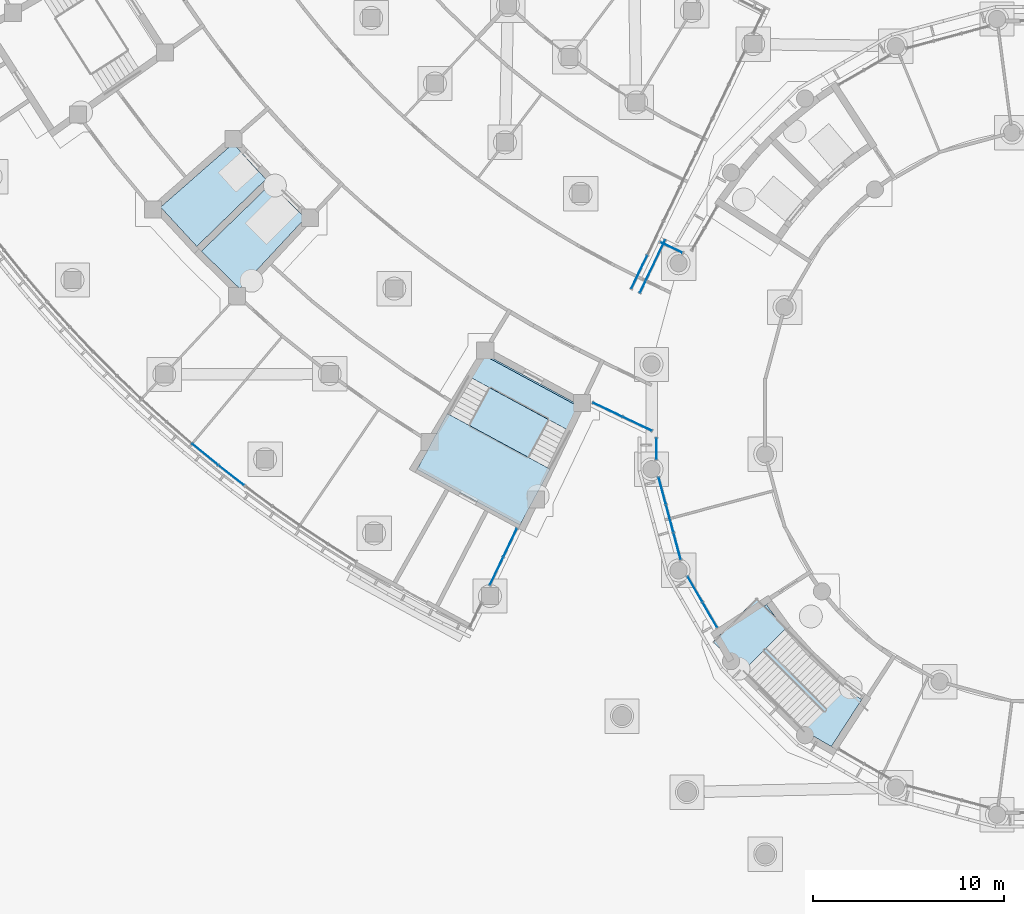
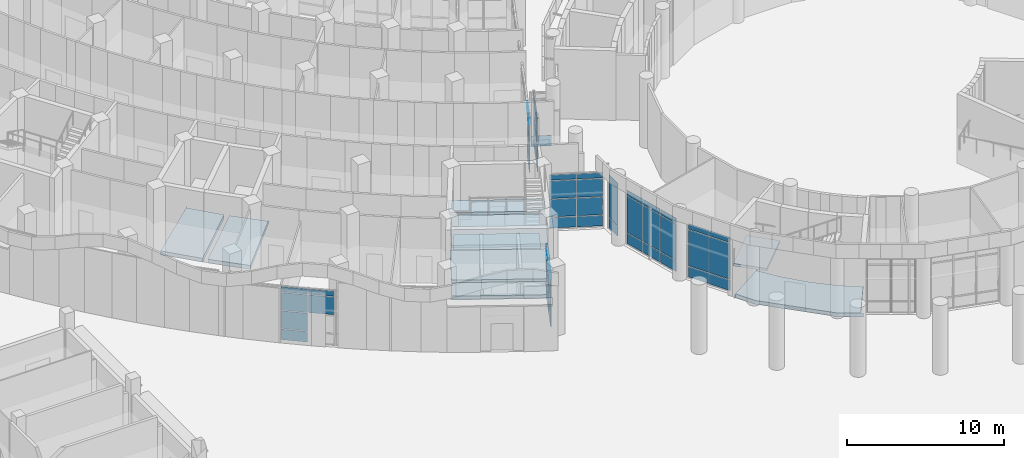
# One storey, part 41 of 146: 49 plates, 8 slabs, 11 elements without a shape of their own.
"""IFC4 building model written with IfcOpenShell, lengths in metres."""

from ifc_helpers import new_model, si_unit, direction, frame, origin, origin_2d, place, context, subcontext, project, spatial, polyline, rectangle, outline, extrude, material, layer, layer_set, type_object, element, aggregate, save


model = new_model("IFC4")

# Units and contexts
model_context = context("Model", 3, precision=1e-05, world=origin(), true_north=direction((0.0, 1.0)))
body_context = subcontext(model_context, "Body", "Model", "MODEL_VIEW")
ifc_project = project(units=[si_unit("LENGTHUNIT", "METRE"), si_unit("AREAUNIT", "SQUARE_METRE"), si_unit("VOLUMEUNIT", "CUBIC_METRE"), si_unit("PLANEANGLEUNIT", "RADIAN"), si_unit("MASSUNIT", "GRAM", prefix="KILO")], contexts=[model_context])

# Site, building, storey
site_placement = place(None, origin())
site = spatial("IfcSite", under=ifc_project, at=site_placement, CompositionType="ELEMENT")
building_placement = place(site_placement, origin())
building = spatial("IfcBuilding", under=site, at=building_placement, Name="Bougainvillea Quay General Hospital", CompositionType="ELEMENT")
storey_placement = place(building_placement, origin())
storey = spatial("IfcBuildingStorey", under=building, at=storey_placement, Name="L00", CompositionType="ELEMENT", Elevation=0.0)

# Curtain wall, plates
ifc_material_1 = material(Name="Aluminium curtain wall system, powder-coated glazed", Category="aluminium")
curtain_wall_type_1 = type_object("IfcCurtainWallType", Name="Unitised curtain wall CW-2100", PredefinedType="NOTDEFINED", material=ifc_material_1)
curtain_wall_1_placement = place(storey_placement, origin())
curtain_wall_1 = element("IfcCurtainWall", 1, at=curtain_wall_1_placement, inside=storey, type_object=curtain_wall_type_1, Name="CW-W03 a01b2", PredefinedType="NOTDEFINED")
ifc_material_2 = material(Name="Insulated aluminium spandrel panel, white", Category="aluminium")
ifc_layer_1 = layer(ifc_material_2, 0.028076171875)
ifc_layer_set_1 = layer_set([ifc_layer_1], Name="Insulated aluminium spandrel panel, white")
plate_type_1 = type_object("IfcPlateType", Name="Insulated spandrel panel white 28", PredefinedType="CURTAIN_PANEL", material=ifc_layer_set_1)
plate_1_placement = place(storey_placement, frame((66.392822265625, 70.93798828125, 3.7802734375), z_axis=(0.0, 0.0, 1.0), x_axis=(-0.789614494602, 0.613603251226, 0.0)))
plate_1 = element("IfcPlate", 2, at=plate_1_placement, type_object=plate_type_1, Name="CW-W03 spandrel panel 1.4", PredefinedType="CURTAIN_PANEL", context=body_context, shape_type="SweptSolid", body=[
    extrude(rectangle(XDim=1.6787109375, YDim=0.028076171875, at=origin_2d()), origin(), (0.0, 0.0, 1.0), 0.409912109375),
])
plate_2_placement = place(storey_placement, frame((65.02197265625, 72.03173828125, 0.06005859375), z_axis=(0.0, 0.0, 1.0), x_axis=(-0.773801517247, 0.633428142654, 0.0)))
plate_2 = element("IfcPlate", 3, at=plate_2_placement, type_object=plate_type_1, Name="CW-W03 spandrel panel 2.1", PredefinedType="CURTAIN_PANEL", context=body_context, shape_type="SweptSolid", body=[
    extrude(rectangle(XDim=1.708740234375, YDim=0.028076171875, at=origin_2d()), origin(), (0.0, 0.0, 1.0), 0.81005859375),
])
plate_3_placement = place(storey_placement, frame((65.02197265625, 72.03173828125, 3.7802734375), z_axis=(0.0, 0.0, 1.0), x_axis=(-0.773801517247, 0.633428142654, 0.0)))
plate_3 = element("IfcPlate", 4, at=plate_3_placement, type_object=plate_type_1, Name="CW-W03 spandrel panel 2.4", PredefinedType="CURTAIN_PANEL", context=body_context, shape_type="SweptSolid", body=[
    extrude(rectangle(XDim=1.708740234375, YDim=0.028076171875, at=origin_2d()), origin(), (0.0, 0.0, 1.0), 0.409912109375),
])

curtain_wall_type_2 = type_object("IfcCurtainWallType", Name="Unitised curtain wall CW-1678", PredefinedType="NOTDEFINED", material=ifc_material_1)
curtain_wall_2_placement = place(storey_placement, origin())
curtain_wall_2 = element("IfcCurtainWall", 5, at=curtain_wall_2_placement, inside=storey, type_object=curtain_wall_type_2, Name="CW-AE 01", PredefinedType="NOTDEFINED")
plate_4_placement = place(storey_placement, frame((80.269287109375, 65.926513671875, 0.06005859375), z_axis=(0.0, 0.0, 1.0), x_axis=(0.430530445105, 0.902576055431, 0.0)))
plate_4 = element("IfcPlate", 6, at=plate_4_placement, type_object=plate_type_1, Name="CW-AE spandrel panel 1.1", PredefinedType="CURTAIN_PANEL", context=body_context, shape_type="SweptSolid", body=[
    extrude(rectangle(XDim=1.587890625, YDim=0.028076171875, at=origin_2d()), origin(), (0.0, 0.0, 1.0), 0.81005859375),
])
plate_5_placement = place(storey_placement, frame((80.269287109375, 65.926513671875, 3.7802734375), z_axis=(0.0, 0.0, 1.0), x_axis=(0.430530445105, 0.902576055431, 0.0)))
plate_5 = element("IfcPlate", 7, at=plate_5_placement, type_object=plate_type_1, Name="CW-AE spandrel panel 1.4", PredefinedType="CURTAIN_PANEL", context=body_context, shape_type="SweptSolid", body=[
    extrude(rectangle(XDim=1.587890625, YDim=0.028076171875, at=origin_2d()), origin(), (0.0, 0.0, 1.0), 0.409912109375),
])
plate_6_placement = place(storey_placement, frame((80.978759765625, 67.413818359375, 0.06005859375), z_axis=(0.0, 0.0, 1.0), x_axis=(0.430530445105, 0.902576055431, 0.0)))
plate_6 = element("IfcPlate", 8, at=plate_6_placement, type_object=plate_type_1, Name="CW-AE spandrel panel 2.1", PredefinedType="CURTAIN_PANEL", context=body_context, shape_type="SweptSolid", body=[
    extrude(rectangle(XDim=1.587890625, YDim=0.028076171875, at=origin_2d()), origin(), (0.0, 0.0, 1.0), 0.81005859375),
])
plate_7_placement = place(storey_placement, frame((80.978759765625, 67.413818359375, 3.7802734375), z_axis=(0.0, 0.0, 1.0), x_axis=(0.430530445105, 0.902576055431, 0.0)))
plate_7 = element("IfcPlate", 9, at=plate_7_placement, type_object=plate_type_1, Name="CW-AE spandrel panel 2.4", PredefinedType="CURTAIN_PANEL", context=body_context, shape_type="SweptSolid", body=[
    extrude(rectangle(XDim=1.587890625, YDim=0.028076171875, at=origin_2d()), origin(), (0.0, 0.0, 1.0), 0.409912109375),
])

curtain_wall_type_3 = type_object("IfcCurtainWallType", Name="Unitised curtain wall CW-1745", PredefinedType="NOTDEFINED", material=ifc_material_1)
curtain_wall_3_placement = place(storey_placement, origin())
curtain_wall_3 = element("IfcCurtainWall", 10, at=curtain_wall_3_placement, inside=storey, type_object=curtain_wall_type_3, Name="CW-AE 00", PredefinedType="NOTDEFINED")
plate_8_placement = place(storey_placement, frame((86.07958984375, 74.37451171875, 0.06005859375), z_axis=(0.0, 0.0, 1.0), x_axis=(0.902608211345, -0.430463026068, 0.0)))
plate_8 = element("IfcPlate", 11, at=plate_8_placement, type_object=plate_type_1, Name="CW-AE spandrel panel 1.1", PredefinedType="CURTAIN_PANEL", context=body_context, shape_type="SweptSolid", body=[
    extrude(rectangle(XDim=1.654296875, YDim=0.028076171875, at=origin_2d()), origin(), (0.0, 0.0, 1.0), 0.81005859375),
])
plate_9_placement = place(storey_placement, frame((86.07958984375, 74.37451171875, 3.7802734375), z_axis=(0.0, 0.0, 1.0), x_axis=(0.902608211345, -0.430463026068, 0.0)))
plate_9 = element("IfcPlate", 12, at=plate_9_placement, type_object=plate_type_1, Name="CW-AE spandrel panel 1.4", PredefinedType="CURTAIN_PANEL", context=body_context, shape_type="SweptSolid", body=[
    extrude(rectangle(XDim=1.654296875, YDim=0.028076171875, at=origin_2d()), origin(), (0.0, 0.0, 1.0), 0.409912109375),
])
plate_10_placement = place(storey_placement, frame((87.626953125, 73.636474609375, 0.06005859375), z_axis=(0.0, 0.0, 1.0), x_axis=(0.902608211345, -0.430463026068, 0.0)))
plate_10 = element("IfcPlate", 13, at=plate_10_placement, type_object=plate_type_1, Name="CW-AE spandrel panel 2.1", PredefinedType="CURTAIN_PANEL", context=body_context, shape_type="SweptSolid", body=[
    extrude(rectangle(XDim=1.654296875, YDim=0.028076171875, at=origin_2d()), origin(), (0.0, 0.0, 1.0), 0.81005859375),
])
plate_11_placement = place(storey_placement, frame((87.626953125, 73.636474609375, 3.7802734375), z_axis=(0.0, 0.0, 1.0), x_axis=(0.902608211345, -0.430463026068, 0.0)))
plate_11 = element("IfcPlate", 14, at=plate_11_placement, type_object=plate_type_1, Name="CW-AE spandrel panel 2.4", PredefinedType="CURTAIN_PANEL", context=body_context, shape_type="SweptSolid", body=[
    extrude(rectangle(XDim=1.654296875, YDim=0.028076171875, at=origin_2d()), origin(), (0.0, 0.0, 1.0), 0.409912109375),
])

# Curtain wall, plate
curtain_wall_type_4 = type_object("IfcCurtainWallType", Name="Unitised curtain wall CW-1422", PredefinedType="NOTDEFINED", material=ifc_material_1)
curtain_wall_4_placement = place(storey_placement, origin())
curtain_wall_4 = element("IfcCurtainWall", 15, at=curtain_wall_4_placement, inside=storey, type_object=curtain_wall_type_4, Name="CW-AE 00", PredefinedType="NOTDEFINED")
plate_12_placement = place(storey_placement, frame((89.413818359375, 82.866455078125, 0.06005859375), z_axis=(0.0, 0.0, 1.0), x_axis=(-0.902574242771, 0.430534245195, 0.0)))
plate_12 = element("IfcPlate", 16, at=plate_12_placement, type_object=plate_type_1, Name="CW-AE spandrel panel 1.1", PredefinedType="CURTAIN_PANEL", context=body_context, shape_type="SweptSolid", body=[
    extrude(rectangle(XDim=1.301513671875, YDim=0.028076171875, at=origin_2d()), origin(), (0.0, 0.0, 1.0), 0.81005859375),
])
aggregate(curtain_wall_4, [plate_12])

# Curtain wall, plates
curtain_wall_type_5 = type_object("IfcCurtainWallType", Name="Unitised curtain wall CW-3140", PredefinedType="NOTDEFINED", material=ifc_material_1)
curtain_wall_5_placement = place(storey_placement, origin())
curtain_wall_5 = element("IfcCurtainWall", 17, at=curtain_wall_5_placement, inside=storey, type_object=curtain_wall_type_5, Name="CW-AE 00", PredefinedType="NOTDEFINED")
plate_13_placement = place(storey_placement, frame((88.4296875, 81.873779296875, 0.06005859375), z_axis=(0.0, 0.0, 1.0), x_axis=(-0.430700101624, -0.902495109384, 0.0)))
plate_13 = element("IfcPlate", 18, at=plate_13_placement, type_object=plate_type_1, Name="CW-AE spandrel panel 1.1", PredefinedType="CURTAIN_PANEL", context=body_context, shape_type="SweptSolid", body=[
    extrude(rectangle(XDim=3.01904296875, YDim=0.028076171875, at=origin_2d()), origin(), (0.0, 0.0, 1.0), 0.81005859375),
])
plate_14_placement = place(storey_placement, frame((88.4296875, 81.873779296875, 3.7802734375), z_axis=(0.0, 0.0, 1.0), x_axis=(-0.430700101624, -0.902495109384, 0.0)))
plate_14 = element("IfcPlate", 19, at=plate_14_placement, type_object=plate_type_1, Name="CW-AE spandrel panel 1.4", PredefinedType="CURTAIN_PANEL", context=body_context, shape_type="SweptSolid", body=[
    extrude(rectangle(XDim=3.01904296875, YDim=0.028076171875, at=origin_2d()), origin(), (0.0, 0.0, 1.0), 0.409912109375),
])

curtain_wall_type_6 = type_object("IfcCurtainWallType", Name="Unitised curtain wall CW-1982", PredefinedType="NOTDEFINED", material=ifc_material_1)
curtain_wall_6_placement = place(storey_placement, origin())
curtain_wall_6 = element("IfcCurtainWall", 20, at=curtain_wall_6_placement, inside=storey, type_object=curtain_wall_type_6, Name="CW-AE 00", PredefinedType="NOTDEFINED")
plate_15_placement = place(storey_placement, frame((87.7353515625, 81.580322265625, 0.06005859375), z_axis=(0.0, 0.0, 1.0), x_axis=(0.430563040838, 0.902560506484, 0.0)))
plate_15 = element("IfcPlate", 21, at=plate_15_placement, type_object=plate_type_1, Name="CW-AE spandrel panel 1.1", PredefinedType="CURTAIN_PANEL", context=body_context, shape_type="SweptSolid", body=[
    extrude(rectangle(XDim=1.891357421875, YDim=0.028076171875, at=origin_2d()), origin(), (0.0, 0.0, 1.0), 0.81005859375),
])
plate_16_placement = place(storey_placement, frame((87.7353515625, 81.580322265625, 3.7802734375), z_axis=(0.0, 0.0, 1.0), x_axis=(0.430563040838, 0.902560506484, 0.0)))
plate_16 = element("IfcPlate", 22, at=plate_16_placement, type_object=plate_type_1, Name="CW-AE spandrel panel 1.4", PredefinedType="CURTAIN_PANEL", context=body_context, shape_type="SweptSolid", body=[
    extrude(rectangle(XDim=1.891357421875, YDim=0.028076171875, at=origin_2d()), origin(), (0.0, 0.0, 1.0), 0.409912109375),
])

curtain_wall_type_7 = type_object("IfcCurtainWallType", Name="Unitised curtain wall CW-1211", PredefinedType="NOTDEFINED", material=ifc_material_1)
curtain_wall_7_placement = place(storey_placement, origin())
curtain_wall_7 = element("IfcCurtainWall", 23, at=curtain_wall_7_placement, inside=storey, type_object=curtain_wall_type_7, Name="CW-D 00", PredefinedType="NOTDEFINED")
plate_17_placement = place(storey_placement, frame((88.6298828125, 72.33447265625, 0.06005859375), z_axis=(0.0, 0.0, 1.0), x_axis=(0.0, -1.0, 0.0)))
plate_17 = element("IfcPlate", 24, at=plate_17_placement, type_object=plate_type_1, Name="CW-D spandrel panel 1.1", PredefinedType="CURTAIN_PANEL", context=body_context, shape_type="SweptSolid", body=[
    extrude(rectangle(XDim=1.091064453125, YDim=0.028076171875, at=origin_2d()), origin(), (0.0, 0.0, 1.0), 0.81005859375),
])
plate_18_placement = place(storey_placement, frame((88.6298828125, 72.33447265625, 3.7802734375), z_axis=(0.0, 0.0, 1.0), x_axis=(0.0, -1.0, 0.0)))
plate_18 = element("IfcPlate", 25, at=plate_18_placement, type_object=plate_type_1, Name="CW-D spandrel panel 1.3", PredefinedType="CURTAIN_PANEL", context=body_context, shape_type="SweptSolid", body=[
    extrude(rectangle(XDim=1.091064453125, YDim=0.028076171875, at=origin_2d()), origin(), (0.0, 0.0, 1.0), 0.409912109375),
])

curtain_wall_type_8 = type_object("IfcCurtainWallType", Name="Unitised curtain wall CW-1514", PredefinedType="NOTDEFINED", material=ifc_material_1)
curtain_wall_8_placement = place(storey_placement, origin())
curtain_wall_8 = element("IfcCurtainWall", 26, at=curtain_wall_8_placement, inside=storey, type_object=curtain_wall_type_8, Name="CW-D 00", PredefinedType="NOTDEFINED")
plate_19_placement = place(storey_placement, frame((88.94287109375, 70.1240234375, 0.06005859375), z_axis=(0.0, 0.0, 1.0), x_axis=(0.258854621298, -0.965916292974, 0.0)))
plate_19 = element("IfcPlate", 27, at=plate_19_placement, type_object=plate_type_1, Name="CW-D spandrel panel 1.1", PredefinedType="CURTAIN_PANEL", context=body_context, shape_type="SweptSolid", body=[
    extrude(rectangle(XDim=1.423828125, YDim=0.028076171875, at=origin_2d()), origin(), (0.0, 0.0, 1.0), 0.81005859375),
])
plate_20_placement = place(storey_placement, frame((88.94287109375, 70.1240234375, 3.7802734375), z_axis=(0.0, 0.0, 1.0), x_axis=(0.258854621298, -0.965916292974, 0.0)))
plate_20 = element("IfcPlate", 28, at=plate_20_placement, type_object=plate_type_1, Name="CW-D spandrel panel 1.3", PredefinedType="CURTAIN_PANEL", context=body_context, shape_type="SweptSolid", body=[
    extrude(rectangle(XDim=1.423828125, YDim=0.028076171875, at=origin_2d()), origin(), (0.0, 0.0, 1.0), 0.409912109375),
])
plate_21_placement = place(storey_placement, frame((89.3310546875, 68.67626953125, 0.06005859375), z_axis=(0.0, 0.0, 1.0), x_axis=(0.258854621298, -0.965916292974, 0.0)))
plate_21 = element("IfcPlate", 29, at=plate_21_placement, type_object=plate_type_1, Name="CW-D spandrel panel 2.1", PredefinedType="CURTAIN_PANEL", context=body_context, shape_type="SweptSolid", body=[
    extrude(rectangle(XDim=1.453857421875, YDim=0.028076171875, at=origin_2d()), origin(), (0.0, 0.0, 1.0), 0.81005859375),
])
plate_22_placement = place(storey_placement, frame((89.3310546875, 68.67626953125, 3.7802734375), z_axis=(0.0, 0.0, 1.0), x_axis=(0.258854621298, -0.965916292974, 0.0)))
plate_22 = element("IfcPlate", 30, at=plate_22_placement, type_object=plate_type_1, Name="CW-D spandrel panel 2.3", PredefinedType="CURTAIN_PANEL", context=body_context, shape_type="SweptSolid", body=[
    extrude(rectangle(XDim=1.453857421875, YDim=0.028076171875, at=origin_2d()), origin(), (0.0, 0.0, 1.0), 0.409912109375),
])
plate_23_placement = place(storey_placement, frame((89.718994140625, 67.228271484375, 0.06005859375), z_axis=(0.0, 0.0, 1.0), x_axis=(0.258854621298, -0.965916292974, 0.0)))
plate_23 = element("IfcPlate", 31, at=plate_23_placement, type_object=plate_type_1, Name="CW-D spandrel panel 3.1", PredefinedType="CURTAIN_PANEL", context=body_context, shape_type="SweptSolid", body=[
    extrude(rectangle(XDim=1.423828125, YDim=0.028076171875, at=origin_2d()), origin(), (0.0, 0.0, 1.0), 0.81005859375),
])
plate_24_placement = place(storey_placement, frame((89.718994140625, 67.228271484375, 3.7802734375), z_axis=(0.0, 0.0, 1.0), x_axis=(0.258854621298, -0.965916292974, 0.0)))
plate_24 = element("IfcPlate", 32, at=plate_24_placement, type_object=plate_type_1, Name="CW-D spandrel panel 3.3", PredefinedType="CURTAIN_PANEL", context=body_context, shape_type="SweptSolid", body=[
    extrude(rectangle(XDim=1.423828125, YDim=0.028076171875, at=origin_2d()), origin(), (0.0, 0.0, 1.0), 0.409912109375),
])

curtain_wall_type_9 = type_object("IfcCurtainWallType", Name="Unitised curtain wall CW-1585", PredefinedType="NOTDEFINED", material=ifc_material_1)
curtain_wall_9_placement = place(storey_placement, origin())
curtain_wall_9 = element("IfcCurtainWall", 33, at=curtain_wall_9_placement, inside=storey, type_object=curtain_wall_type_9, Name="CW-D 00", PredefinedType="NOTDEFINED")
plate_25_placement = place(storey_placement, frame((90.654296875, 64.982666015625, 0.06005859375), z_axis=(0.0, 0.0, 1.0), x_axis=(0.499964557262, -0.866045865692, 0.0)))
plate_25 = element("IfcPlate", 34, at=plate_25_placement, type_object=plate_type_1, Name="CW-D spandrel panel 1.1", PredefinedType="CURTAIN_PANEL", context=body_context, shape_type="SweptSolid", body=[
    extrude(rectangle(XDim=1.494873046875, YDim=0.028076171875, at=origin_2d()), origin(), (0.0, 0.0, 1.0), 0.81005859375),
])
plate_26_placement = place(storey_placement, frame((90.654296875, 64.982666015625, 3.7802734375), z_axis=(0.0, 0.0, 1.0), x_axis=(0.499964557262, -0.866045865692, 0.0)))
plate_26 = element("IfcPlate", 35, at=plate_26_placement, type_object=plate_type_1, Name="CW-D spandrel panel 1.3", PredefinedType="CURTAIN_PANEL", context=body_context, shape_type="SweptSolid", body=[
    extrude(rectangle(XDim=1.494873046875, YDim=0.028076171875, at=origin_2d()), origin(), (0.0, 0.0, 1.0), 0.409912109375),
])
plate_27_placement = place(storey_placement, frame((91.431640625, 63.635986328125, 0.06005859375), z_axis=(0.0, 0.0, 1.0), x_axis=(0.499964557262, -0.866045865692, 0.0)))
plate_27 = element("IfcPlate", 36, at=plate_27_placement, type_object=plate_type_1, Name="CW-D spandrel panel 2.1", PredefinedType="CURTAIN_PANEL", context=body_context, shape_type="SweptSolid", body=[
    extrude(rectangle(XDim=1.494873046875, YDim=0.028076171875, at=origin_2d()), origin(), (0.0, 0.0, 1.0), 0.81005859375),
])
plate_28_placement = place(storey_placement, frame((91.431640625, 63.635986328125, 3.7802734375), z_axis=(0.0, 0.0, 1.0), x_axis=(0.499964557262, -0.866045865692, 0.0)))
plate_28 = element("IfcPlate", 37, at=plate_28_placement, type_object=plate_type_1, Name="CW-D spandrel panel 2.3", PredefinedType="CURTAIN_PANEL", context=body_context, shape_type="SweptSolid", body=[
    extrude(rectangle(XDim=1.494873046875, YDim=0.028076171875, at=origin_2d()), origin(), (0.0, 0.0, 1.0), 0.409912109375),
])

# Plate
ifc_material_3 = material(Name="Low-e laminated glass, solar control", Category="glass")
ifc_layer_2 = layer(ifc_material_3, 0.028076171875)
ifc_layer_set_2 = layer_set([ifc_layer_2], Name="Low-e laminated glass, solar control")
plate_type_2 = type_object("IfcPlateType", Name="Low-e laminated vision glass 28", PredefinedType="CURTAIN_PANEL", material=ifc_layer_set_2)
plate_29_placement = place(storey_placement, frame((66.392822265625, 70.93798828125, 2.35498046875), z_axis=(0.0, 0.0, 1.0), x_axis=(-0.789614494602, 0.613603251226, 0.0)))
plate_29 = element("IfcPlate", 38, at=plate_29_placement, type_object=plate_type_2, Name="CW-W03 vision glass panel 1.3", PredefinedType="CURTAIN_PANEL", context=body_context, shape_type="SweptSolid", body=[
    extrude(rectangle(XDim=1.6787109375, YDim=0.028076171875, at=origin_2d()), origin(), (0.0, 0.0, 1.0), 1.364990234375),
])

plate_30_placement = place(storey_placement, frame((65.02197265625, 72.03173828125, 0.93017578125), z_axis=(0.0, 0.0, 1.0), x_axis=(-0.773801517247, 0.633428142654, 0.0)))
plate_30 = element("IfcPlate", 39, at=plate_30_placement, type_object=plate_type_2, Name="CW-W03 vision glass panel 2.2", PredefinedType="CURTAIN_PANEL", context=body_context, shape_type="SweptSolid", body=[
    extrude(rectangle(XDim=1.708740234375, YDim=0.028076171875, at=origin_2d()), origin(), (0.0, 0.0, 1.0), 1.364990234375),
])

plate_31_placement = place(storey_placement, frame((65.02197265625, 72.03173828125, 2.35498046875), z_axis=(0.0, 0.0, 1.0), x_axis=(-0.773801517247, 0.633428142654, 0.0)))
plate_31 = element("IfcPlate", 40, at=plate_31_placement, type_object=plate_type_2, Name="CW-W03 vision glass panel 2.3", PredefinedType="CURTAIN_PANEL", context=body_context, shape_type="SweptSolid", body=[
    extrude(rectangle(XDim=1.708740234375, YDim=0.028076171875, at=origin_2d()), origin(), (0.0, 0.0, 1.0), 1.364990234375),
])

aggregate(curtain_wall_1, [plate_29, plate_1, plate_2, plate_30, plate_31, plate_3])

plate_32_placement = place(storey_placement, frame((80.269287109375, 65.926513671875, 0.93017578125), z_axis=(0.0, 0.0, 1.0), x_axis=(0.430530445105, 0.902576055431, 0.0)))
plate_32 = element("IfcPlate", 41, at=plate_32_placement, type_object=plate_type_2, Name="CW-AE vision glass panel 1.2", PredefinedType="CURTAIN_PANEL", context=body_context, shape_type="SweptSolid", body=[
    extrude(rectangle(XDim=1.587890625, YDim=0.028076171875, at=origin_2d()), origin(), (0.0, 0.0, 1.0), 1.364990234375),
])

plate_33_placement = place(storey_placement, frame((80.269287109375, 65.926513671875, 2.35498046875), z_axis=(0.0, 0.0, 1.0), x_axis=(0.430530445105, 0.902576055431, 0.0)))
plate_33 = element("IfcPlate", 42, at=plate_33_placement, type_object=plate_type_2, Name="CW-AE vision glass panel 1.3", PredefinedType="CURTAIN_PANEL", context=body_context, shape_type="SweptSolid", body=[
    extrude(rectangle(XDim=1.587890625, YDim=0.028076171875, at=origin_2d()), origin(), (0.0, 0.0, 1.0), 1.364990234375),
])

plate_34_placement = place(storey_placement, frame((80.978759765625, 67.413818359375, 0.93017578125), z_axis=(0.0, 0.0, 1.0), x_axis=(0.430530445105, 0.902576055431, 0.0)))
plate_34 = element("IfcPlate", 43, at=plate_34_placement, type_object=plate_type_2, Name="CW-AE vision glass panel 2.2", PredefinedType="CURTAIN_PANEL", context=body_context, shape_type="SweptSolid", body=[
    extrude(rectangle(XDim=1.587890625, YDim=0.028076171875, at=origin_2d()), origin(), (0.0, 0.0, 1.0), 1.364990234375),
])

plate_35_placement = place(storey_placement, frame((80.978759765625, 67.413818359375, 2.35498046875), z_axis=(0.0, 0.0, 1.0), x_axis=(0.430530445105, 0.902576055431, 0.0)))
plate_35 = element("IfcPlate", 44, at=plate_35_placement, type_object=plate_type_2, Name="CW-AE vision glass panel 2.3", PredefinedType="CURTAIN_PANEL", context=body_context, shape_type="SweptSolid", body=[
    extrude(rectangle(XDim=1.587890625, YDim=0.028076171875, at=origin_2d()), origin(), (0.0, 0.0, 1.0), 1.364990234375),
])

aggregate(curtain_wall_2, [plate_4, plate_32, plate_33, plate_5, plate_6, plate_34, plate_35, plate_7])

plate_36_placement = place(storey_placement, frame((86.07958984375, 74.37451171875, 0.93017578125), z_axis=(0.0, 0.0, 1.0), x_axis=(0.902608211345, -0.430463026068, 0.0)))
plate_36 = element("IfcPlate", 45, at=plate_36_placement, type_object=plate_type_2, Name="CW-AE vision glass panel 1.2", PredefinedType="CURTAIN_PANEL", context=body_context, shape_type="SweptSolid", body=[
    extrude(rectangle(XDim=1.654296875, YDim=0.028076171875, at=origin_2d()), origin(), (0.0, 0.0, 1.0), 1.364990234375),
])

plate_37_placement = place(storey_placement, frame((86.07958984375, 74.37451171875, 2.35498046875), z_axis=(0.0, 0.0, 1.0), x_axis=(0.902608211345, -0.430463026068, 0.0)))
plate_37 = element("IfcPlate", 46, at=plate_37_placement, type_object=plate_type_2, Name="CW-AE vision glass panel 1.3", PredefinedType="CURTAIN_PANEL", context=body_context, shape_type="SweptSolid", body=[
    extrude(rectangle(XDim=1.654296875, YDim=0.028076171875, at=origin_2d()), origin(), (0.0, 0.0, 1.0), 1.364990234375),
])

plate_38_placement = place(storey_placement, frame((87.626953125, 73.636474609375, 0.93017578125), z_axis=(0.0, 0.0, 1.0), x_axis=(0.902608211345, -0.430463026068, 0.0)))
plate_38 = element("IfcPlate", 47, at=plate_38_placement, type_object=plate_type_2, Name="CW-AE vision glass panel 2.2", PredefinedType="CURTAIN_PANEL", context=body_context, shape_type="SweptSolid", body=[
    extrude(rectangle(XDim=1.654296875, YDim=0.028076171875, at=origin_2d()), origin(), (0.0, 0.0, 1.0), 1.364990234375),
])

plate_39_placement = place(storey_placement, frame((87.626953125, 73.636474609375, 2.35498046875), z_axis=(0.0, 0.0, 1.0), x_axis=(0.902608211345, -0.430463026068, 0.0)))
plate_39 = element("IfcPlate", 48, at=plate_39_placement, type_object=plate_type_2, Name="CW-AE vision glass panel 2.3", PredefinedType="CURTAIN_PANEL", context=body_context, shape_type="SweptSolid", body=[
    extrude(rectangle(XDim=1.654296875, YDim=0.028076171875, at=origin_2d()), origin(), (0.0, 0.0, 1.0), 1.364990234375),
])

aggregate(curtain_wall_3, [plate_8, plate_36, plate_37, plate_9, plate_10, plate_38, plate_39, plate_11])

plate_40_placement = place(storey_placement, frame((88.4296875, 81.873779296875, 0.93017578125), z_axis=(0.0, 0.0, 1.0), x_axis=(-0.430700101624, -0.902495109384, 0.0)))
plate_40 = element("IfcPlate", 49, at=plate_40_placement, type_object=plate_type_2, Name="CW-AE vision glass panel 1.2", PredefinedType="CURTAIN_PANEL", context=body_context, shape_type="SweptSolid", body=[
    extrude(rectangle(XDim=3.01904296875, YDim=0.028076171875, at=origin_2d()), origin(), (0.0, 0.0, 1.0), 1.364990234375),
])

plate_41_placement = place(storey_placement, frame((88.4296875, 81.873779296875, 2.35498046875), z_axis=(0.0, 0.0, 1.0), x_axis=(-0.430700101624, -0.902495109384, 0.0)))
plate_41 = element("IfcPlate", 50, at=plate_41_placement, type_object=plate_type_2, Name="CW-AE vision glass panel 1.3", PredefinedType="CURTAIN_PANEL", context=body_context, shape_type="SweptSolid", body=[
    extrude(rectangle(XDim=3.01904296875, YDim=0.028076171875, at=origin_2d()), origin(), (0.0, 0.0, 1.0), 1.364990234375),
])

aggregate(curtain_wall_5, [plate_13, plate_40, plate_41, plate_14])

plate_42_placement = place(storey_placement, frame((87.7353515625, 81.580322265625, 0.93017578125), z_axis=(0.0, 0.0, 1.0), x_axis=(0.430563040838, 0.902560506484, 0.0)))
plate_42 = element("IfcPlate", 51, at=plate_42_placement, type_object=plate_type_2, Name="CW-AE vision glass panel 1.2", PredefinedType="CURTAIN_PANEL", context=body_context, shape_type="SweptSolid", body=[
    extrude(rectangle(XDim=1.891357421875, YDim=0.028076171875, at=origin_2d()), origin(), (0.0, 0.0, 1.0), 1.364990234375),
])

plate_43_placement = place(storey_placement, frame((87.7353515625, 81.580322265625, 2.35498046875), z_axis=(0.0, 0.0, 1.0), x_axis=(0.430563040838, 0.902560506484, 0.0)))
plate_43 = element("IfcPlate", 52, at=plate_43_placement, type_object=plate_type_2, Name="CW-AE vision glass panel 1.3", PredefinedType="CURTAIN_PANEL", context=body_context, shape_type="SweptSolid", body=[
    extrude(rectangle(XDim=1.891357421875, YDim=0.028076171875, at=origin_2d()), origin(), (0.0, 0.0, 1.0), 1.364990234375),
])

aggregate(curtain_wall_6, [plate_15, plate_42, plate_43, plate_16])

plate_44_placement = place(storey_placement, frame((88.6298828125, 72.33447265625, 0.929931640625), z_axis=(0.0, 0.0, 1.0), x_axis=(0.0, -1.0, 0.0)))
plate_44 = element("IfcPlate", 53, at=plate_44_placement, type_object=plate_type_2, Name="CW-D vision glass panel 1.2", PredefinedType="CURTAIN_PANEL", context=body_context, shape_type="SweptSolid", body=[
    extrude(rectangle(XDim=1.091064453125, YDim=0.028076171875, at=origin_2d()), origin(), (0.0, 0.0, 1.0), 2.7900390625),
])

aggregate(curtain_wall_7, [plate_17, plate_44, plate_18])

plate_45_placement = place(storey_placement, frame((88.94287109375, 70.1240234375, 0.929931640625), z_axis=(0.0, 0.0, 1.0), x_axis=(0.258854621298, -0.965916292974, 0.0)))
plate_45 = element("IfcPlate", 54, at=plate_45_placement, type_object=plate_type_2, Name="CW-D vision glass panel 1.2", PredefinedType="CURTAIN_PANEL", context=body_context, shape_type="SweptSolid", body=[
    extrude(rectangle(XDim=1.423828125, YDim=0.028076171875, at=origin_2d()), origin(), (0.0, 0.0, 1.0), 2.7900390625),
])

plate_46_placement = place(storey_placement, frame((89.3310546875, 68.67626953125, 0.929931640625), z_axis=(0.0, 0.0, 1.0), x_axis=(0.258854621298, -0.965916292974, 0.0)))
plate_46 = element("IfcPlate", 55, at=plate_46_placement, type_object=plate_type_2, Name="CW-D vision glass panel 2.2", PredefinedType="CURTAIN_PANEL", context=body_context, shape_type="SweptSolid", body=[
    extrude(rectangle(XDim=1.453857421875, YDim=0.028076171875, at=origin_2d()), origin(), (0.0, 0.0, 1.0), 2.7900390625),
])

plate_47_placement = place(storey_placement, frame((89.718994140625, 67.228271484375, 0.929931640625), z_axis=(0.0, 0.0, 1.0), x_axis=(0.258854621298, -0.965916292974, 0.0)))
plate_47 = element("IfcPlate", 56, at=plate_47_placement, type_object=plate_type_2, Name="CW-D vision glass panel 3.2", PredefinedType="CURTAIN_PANEL", context=body_context, shape_type="SweptSolid", body=[
    extrude(rectangle(XDim=1.423828125, YDim=0.028076171875, at=origin_2d()), origin(), (0.0, 0.0, 1.0), 2.7900390625),
])

aggregate(curtain_wall_8, [plate_19, plate_45, plate_20, plate_21, plate_46, plate_22, plate_23, plate_47, plate_24])

plate_48_placement = place(storey_placement, frame((90.654296875, 64.982666015625, 0.929931640625), z_axis=(0.0, 0.0, 1.0), x_axis=(0.499964557262, -0.866045865692, 0.0)))
plate_48 = element("IfcPlate", 57, at=plate_48_placement, type_object=plate_type_2, Name="CW-D vision glass panel 1.2", PredefinedType="CURTAIN_PANEL", context=body_context, shape_type="SweptSolid", body=[
    extrude(rectangle(XDim=1.494873046875, YDim=0.028076171875, at=origin_2d()), origin(), (0.0, 0.0, 1.0), 2.7900390625),
])

plate_49_placement = place(storey_placement, frame((91.431640625, 63.635986328125, 0.929931640625), z_axis=(0.0, 0.0, 1.0), x_axis=(0.499964557262, -0.866045865692, 0.0)))
plate_49 = element("IfcPlate", 58, at=plate_49_placement, type_object=plate_type_2, Name="CW-D vision glass panel 2.2", PredefinedType="CURTAIN_PANEL", context=body_context, shape_type="SweptSolid", body=[
    extrude(rectangle(XDim=1.494873046875, YDim=0.028076171875, at=origin_2d()), origin(), (0.0, 0.0, 1.0), 2.7900390625),
])

aggregate(curtain_wall_9, [plate_25, plate_48, plate_26, plate_27, plate_49, plate_28])

# Slabs
ifc_material_4 = material(Name="Concrete C35", Category="concrete")
ifc_layer_3 = layer(ifc_material_4, 0.300048828125)
ifc_layer_set_3 = layer_set([ifc_layer_3], Name="Concrete C35")
slab_type_1 = type_object("IfcSlabType", Name="RC FLAT SLAB 300 C35 GROUND", PredefinedType="BASESLAB", material=ifc_layer_set_3)
slab_1_placement = place(storey_placement, frame((0.0, 0.0, -0.300048828125)))
element("IfcSlab", 59, at=slab_1_placement, inside=storey, type_object=slab_type_1, Name="Slab S1 L00", PredefinedType="BASESLAB", context=body_context, shape_type="SweptSolid", body=[
    extrude(outline(polyline([(99.36962890625, 59.200439453125), (98.028564453125, 60.17431640625), (98.01318359375, 60.18505859375), (97.999267578125, 60.197998046875), (96.644775390625, 61.41796875), (96.63037109375, 61.430419921875), (96.617919921875, 61.44482421875), (95.398193359375, 62.79931640625), (95.38525390625, 62.813232421875), (95.374267578125, 62.82861328125), (94.400390625, 64.16943359375), (94.5380859375, 64.269775390625), (91.806396484375, 62.495849609375), (91.9541015625, 62.5810546875), (92.680419921875, 61.32373046875), (96.52392578125, 57.48046875), (97.9365234375, 56.664306640625), (97.79345703125, 56.757080078125), (99.4697265625, 59.338134765625), (99.36962890625, 59.200439453125)])), origin(), (0.0, 0.0, 1.0), 0.300048828125),
])
slab_2_placement = place(storey_placement, frame((0.0, 0.0, -0.300048828125)))
element("IfcSlab", 60, at=slab_2_placement, inside=storey, type_object=slab_type_1, Name="Slab S1 L00", PredefinedType="BASESLAB", context=body_context, shape_type="SweptSolid", body=[
    extrude(outline(polyline([(76.18408203125, 71.388427734375), (81.568359375, 68.4765625), (84.591064453125, 74.812255859375), (84.509765625, 74.662353515625), (79.751708984375, 77.23583984375), (79.832763671875, 77.3857421875), (76.18408203125, 71.388427734375)])), origin(), (0.0, 0.0, 1.0), 0.300048828125),
])
slab_3_placement = place(storey_placement, frame((0.0, 0.0, -0.300048828125)))
element("IfcSlab", 61, at=slab_3_placement, inside=storey, type_object=slab_type_1, Name="Slab S1 L00", PredefinedType="BASESLAB", context=body_context, shape_type="SweptSolid", body=[
    extrude(outline(polyline([(70.261474609375, 84.413330078125), (68.44677734375, 86.18310546875), (64.82666015625, 82.66845703125), (66.8251953125, 80.712646484375), (70.38232421875, 84.536865234375), (70.261474609375, 84.413330078125)])), origin(), (0.0, 0.0, 1.0), 0.300048828125),
])
slab_4_placement = place(storey_placement, frame((0.0, 0.0, -0.300048828125)))
element("IfcSlab", 62, at=slab_4_placement, inside=storey, type_object=slab_type_1, Name="Slab S1 L00", PredefinedType="BASESLAB", context=body_context, shape_type="SweptSolid", body=[
    extrude(outline(polyline([(64.582763671875, 82.919677734375), (68.2021484375, 86.43505859375), (66.487060546875, 88.30078125), (66.614013671875, 88.41796875), (62.687255859375, 84.973876953125), (64.582763671875, 82.919677734375)])), origin(), (0.0, 0.0, 1.0), 0.300048828125),
])

# Stair, slabs
stair_type_1 = type_object("IfcStairType", Name="Stair half-turn 1350 wide", PredefinedType="HALF_TURN_STAIR", material=ifc_material_4)
stair_1_placement = place(storey_placement, origin())
stair_1 = element("IfcStair", 63, at=stair_1_placement, inside=storey, type_object=stair_type_1, Name="L00 stair ST-W1", PredefinedType="HALF_TURN_STAIR")
ifc_layer_4 = layer(ifc_material_4, 0.199951171875)
ifc_layer_set_4 = layer_set([ifc_layer_4], Name="Concrete C35")
slab_type_2 = type_object("IfcSlabType", Name="Stair landing 200", PredefinedType="LANDING", material=ifc_layer_set_4)
slab_5_placement = place(storey_placement, frame((0.0, 0.0, 1.14990234375)))
slab_5 = element("IfcSlab", 64, at=slab_5_placement, type_object=slab_type_2, Name="ST-W1 landing 1", PredefinedType="LANDING", context=body_context, shape_type="SweptSolid", body=[
    extrude(outline(polyline([(77.69140625, 74.175537109375), (76.109130859375, 71.25), (81.493896484375, 68.337646484375), (83.076171875, 71.26318359375), (77.69140625, 74.175537109375)])), origin(), (0.0, 0.0, 1.0), 0.2001953125),
])
slab_6_placement = place(storey_placement, frame((0.0, 0.0, 2.5)))
slab_6 = element("IfcSlab", 65, at=slab_6_placement, type_object=slab_type_2, Name="ST-W1 landing 2", PredefinedType="LANDING", context=body_context, shape_type="SweptSolid", body=[
    extrude(outline(polyline([(79.399169921875, 77.333251953125), (78.757080078125, 76.145751953125), (84.141845703125, 73.2333984375), (84.783935546875, 74.4208984375), (79.399169921875, 77.333251953125)])), origin(), (0.0, 0.0, 1.0), 0.199951171875),
])
slab_7_placement = place(storey_placement, frame((0.0, 0.0, 3.85009765625)))
slab_7 = element("IfcSlab", 66, at=slab_7_placement, type_object=slab_type_2, Name="ST-W1 landing 3", PredefinedType="LANDING", context=body_context, shape_type="SweptSolid", body=[
    extrude(outline(polyline([(77.69140625, 74.175537109375), (76.109130859375, 71.25), (81.493896484375, 68.337646484375), (83.076171875, 71.26318359375), (77.69140625, 74.175537109375)])), origin(), (0.0, 0.0, 1.0), 0.199951171875),
])
aggregate(stair_1, [slab_5, slab_6, slab_7])

# Stair, slab
stair_type_2 = type_object("IfcStairType", Name="Stair half-turn 1563 wide", PredefinedType="HALF_TURN_STAIR", material=ifc_material_4)
stair_2_placement = place(storey_placement, origin())
stair_2 = element("IfcStair", 67, at=stair_2_placement, inside=storey, type_object=stair_type_2, Name="L00 stair ST-H2", PredefinedType="HALF_TURN_STAIR")
slab_8_placement = place(storey_placement, frame((0.0, 0.0, 2.5)))
slab_8 = element("IfcSlab", 68, at=slab_8_placement, type_object=slab_type_2, Name="ST-H2 landing 1", PredefinedType="LANDING", context=body_context, shape_type="SweptSolid", body=[
    extrude(outline(polyline([(95.442626953125, 62.94970703125), (93.87646484375, 64.515869140625), (91.59521484375, 62.23486328125), (93.16162109375, 60.66845703125), (95.442626953125, 62.94970703125)])), origin(), (0.0, 0.0, 1.0), 0.199951171875),
])
aggregate(stair_2, [slab_8])

save(model, "model.ifc")
